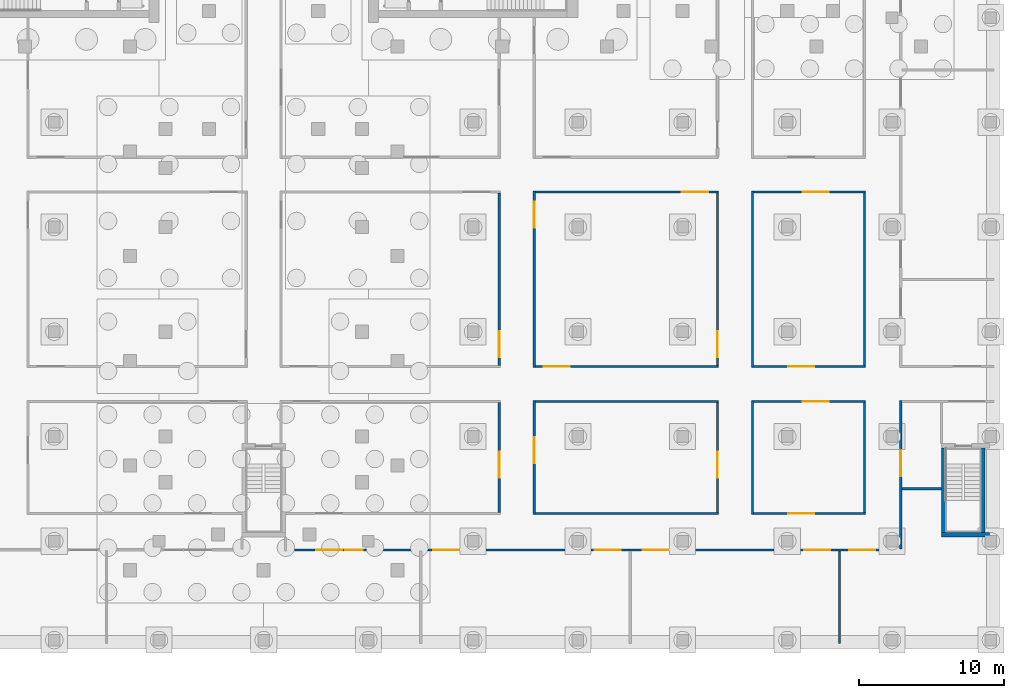
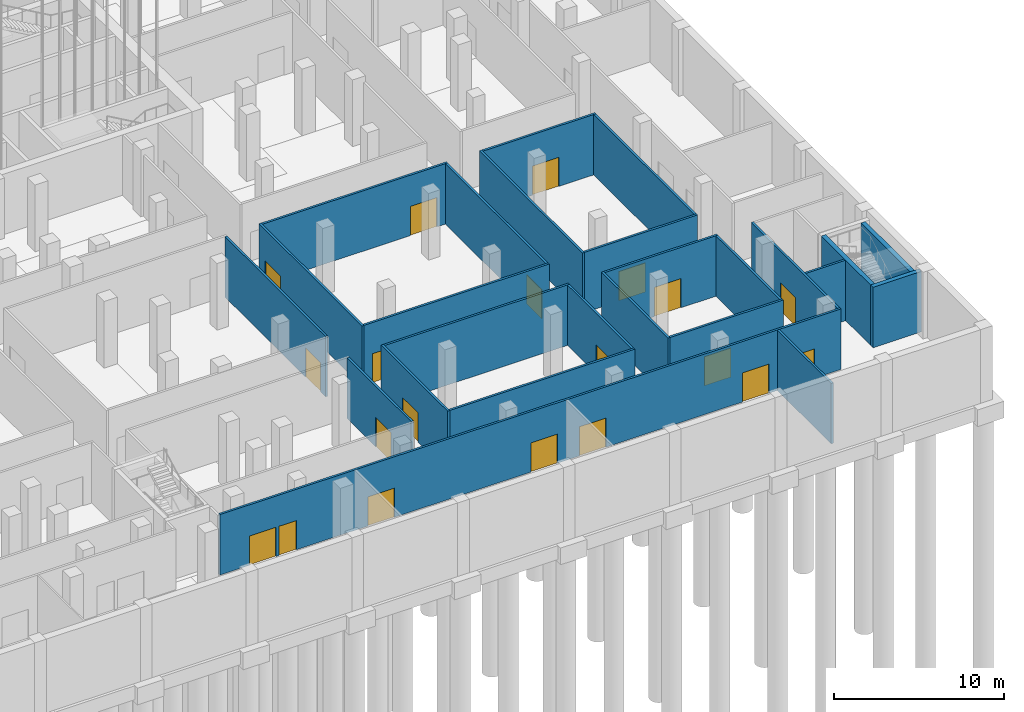
# One storey, part 12 of 54: 25 walls, 20 doors, 20 openings.
"""IFC4 building model written with IfcOpenShell, lengths in metres."""

from ifc_helpers import new_model, si_unit, direction, frame, frame_2d, origin, place, context, subcontext, project, spatial, rectangle, extrude, material, layer, layer_set, type_object, element, fill, save


model = new_model("IFC4")

# Units and contexts
model_context = context("Model", 3, precision=1e-05, world=origin(), true_north=direction((0.0, 1.0)))
body_context = subcontext(model_context, "Body", "Model", "MODEL_VIEW")
ifc_project = project(units=[si_unit("LENGTHUNIT", "METRE"), si_unit("AREAUNIT", "SQUARE_METRE"), si_unit("VOLUMEUNIT", "CUBIC_METRE"), si_unit("PLANEANGLEUNIT", "RADIAN"), si_unit("MASSUNIT", "GRAM", prefix="KILO")], contexts=[model_context])

# Site, building, storey
site_placement = place(None, origin())
site = spatial("IfcSite", under=ifc_project, at=site_placement, CompositionType="ELEMENT")
building_placement = place(site_placement, origin())
building = spatial("IfcBuilding", under=site, at=building_placement, Name="Fustian Cross Tower", CompositionType="ELEMENT")
storey_placement = place(building_placement, frame((0.0, 0.0, -4.800048828125)))
storey = spatial("IfcBuildingStorey", under=building, at=storey_placement, Name="B1", CompositionType="ELEMENT", Elevation=-4.800048828125)

# Wall, openings, doors
ifc_material_1 = material(Name="Plasterboard on steel stud", Category="steel")
ifc_layer_1 = layer(ifc_material_1, 0.14990234375)
ifc_layer_set_1 = layer_set([ifc_layer_1], Name="Plasterboard on steel stud")
wall_type_1 = type_object("IfcWallType", Name="COMPARTMENT WALL 150 EI 60", PredefinedType="PARTITIONING", material=ifc_layer_set_1)
wall_1_placement = place(storey_placement, frame((1.574951171875, -43.800048828125, 0.0), z_axis=(0.0, 0.0, 1.0), x_axis=(1.0, 0.0, 0.0)))
wall_1 = element("IfcWall", 1, at=wall_1_placement, inside=storey, type_object=wall_type_1, Name="Partition 117", PredefinedType="PARTITIONING", context=body_context, shape_type="SweptSolid", body=[
    extrude(rectangle(XDim=42.300048828125, YDim=0.14990234375, at=frame_2d((21.14990234375, 0.0))), origin(), (0.0, 0.0, 1.0), 4.35009765625),
])
opening_1_placement = place(wall_1_placement, frame((38.675048828125, 0.0, 0.0)))
opening_1 = element("IfcOpeningElement", 2, at=opening_1_placement, cuts=wall_1, Name="Opening D01029", PredefinedType="OPENING", context=body_context, shape_type="SweptSolid", body=[
    extrude(rectangle(XDim=1.800048828125, YDim=2.10009765625, at=frame_2d((0.89990234375, 1.050048828125))), frame((0.0, 0.0849609375, 0.0), z_axis=(0.0, -1.0, 0.0), x_axis=(1.0, 0.0, 0.0)), (0.0, 0.0, 1.0), 0.169921875),
])
opening_2_placement = place(wall_1_placement, frame((2.02490234375, 0.0, 0.0)))
opening_2 = element("IfcOpeningElement", 3, at=opening_2_placement, cuts=wall_1, Name="Opening D01036", PredefinedType="OPENING", context=body_context, shape_type="SweptSolid", body=[
    extrude(rectangle(XDim=1.800048828125, YDim=2.10009765625, at=frame_2d((0.89990234375, 1.050048828125))), frame((0.0, 0.0849609375, 0.0), z_axis=(0.0, -1.0, 0.0), x_axis=(1.0, 0.0, 0.0)), (0.0, 0.0, 1.0), 0.169921875),
])
opening_3_placement = place(wall_1_placement, frame((4.02490234375, 0.0, 0.0)))
opening_3 = element("IfcOpeningElement", 4, at=opening_3_placement, cuts=wall_1, Name="Opening D01037", PredefinedType="OPENING", context=body_context, shape_type="SweptSolid", body=[
    extrude(rectangle(XDim=1.199951171875, YDim=2.10009765625, at=frame_2d((0.60009765625, 1.050048828125))), frame((0.0, 0.0849609375, 0.0), z_axis=(0.0, -1.0, 0.0), x_axis=(1.0, 0.0, 0.0)), (0.0, 0.0, 1.0), 0.169921875),
])
opening_4_placement = place(wall_1_placement, frame((10.074951171875, 0.0, 0.0)))
opening_4 = element("IfcOpeningElement", 5, at=opening_4_placement, cuts=wall_1, Name="Opening D01038", PredefinedType="OPENING", context=body_context, shape_type="SweptSolid", body=[
    extrude(rectangle(XDim=1.800048828125, YDim=2.10009765625, at=frame_2d((0.89990234375, 1.050048828125))), frame((0.0, 0.0849609375, 0.0), z_axis=(0.0, -1.0, 0.0), x_axis=(1.0, 0.0, 0.0)), (0.0, 0.0, 1.0), 0.169921875),
])
opening_5_placement = place(wall_1_placement, frame((21.175048828125, 0.0, 0.0)))
opening_5 = element("IfcOpeningElement", 6, at=opening_5_placement, cuts=wall_1, Name="Opening D01039", PredefinedType="OPENING", context=body_context, shape_type="SweptSolid", body=[
    extrude(rectangle(XDim=1.800048828125, YDim=2.10009765625, at=frame_2d((0.89990234375, 1.050048828125))), frame((0.0, 0.0849609375, 0.0), z_axis=(0.0, -1.0, 0.0), x_axis=(1.0, 0.0, 0.0)), (0.0, 0.0, 1.0), 0.169921875),
])
opening_6_placement = place(wall_1_placement, frame((24.47509765625, 0.0, 0.0)))
opening_6 = element("IfcOpeningElement", 7, at=opening_6_placement, cuts=wall_1, Name="Opening D01040", PredefinedType="OPENING", context=body_context, shape_type="SweptSolid", body=[
    extrude(rectangle(XDim=1.800048828125, YDim=2.10009765625, at=frame_2d((0.89990234375, 1.050048828125))), frame((0.0, 0.0849609375, 0.0), z_axis=(0.0, -1.0, 0.0), x_axis=(1.0, 0.0, 0.0)), (0.0, 0.0, 1.0), 0.169921875),
])
opening_7_placement = place(wall_1_placement, frame((35.574951171875, 0.0, 0.0)))
opening_7 = element("IfcOpeningElement", 8, at=opening_7_placement, cuts=wall_1, Name="Opening D01041", PredefinedType="OPENING", context=body_context, shape_type="SweptSolid", body=[
    extrude(rectangle(XDim=1.800048828125, YDim=2.10009765625, at=frame_2d((0.89990234375, 1.050048828125))), frame((0.0, 0.0849609375, 0.0), z_axis=(0.0, -1.0, 0.0), x_axis=(1.0, 0.0, 0.0)), (0.0, 0.0, 1.0), 0.169921875),
])
ifc_material_2 = material(Name="Timber fire door set", Category="wood")
door_type_1 = type_object("IfcDoorType", Name="FIRE DOUBLE DOOR 1800 FD30S", OperationType="DOUBLE_DOOR_DOUBLE_SWING", PredefinedType="DOOR", material=ifc_material_2)
door_1_placement = place(opening_1_placement, origin())
door_1 = element("IfcDoor", 9, at=door_1_placement, inside=storey, type_object=door_type_1, Name="Door D01029", OperationType="DOUBLE_DOOR_DOUBLE_SWING", OverallHeight=2.10009765625, OverallWidth=1.800048828125, PredefinedType="DOOR", context=body_context, shape_type="SweptSolid", body=[
    extrude(rectangle(XDim=1.800048828125, YDim=2.10009765625, at=frame_2d((0.89990234375, 1.050048828125))), frame((0.0, 0.02490234375, 0.0), z_axis=(0.0, -1.0, 0.0), x_axis=(1.0, 0.0, 0.0)), (0.0, 0.0, 1.0), 0.050048828125),
])
fill(opening_1, door_1)
door_2_placement = place(opening_2_placement, origin())
door_2 = element("IfcDoor", 10, at=door_2_placement, inside=storey, type_object=door_type_1, Name="Door D01036", OperationType="DOUBLE_DOOR_DOUBLE_SWING", OverallHeight=2.10009765625, OverallWidth=1.800048828125, PredefinedType="DOOR", context=body_context, shape_type="SweptSolid", body=[
    extrude(rectangle(XDim=1.800048828125, YDim=2.10009765625, at=frame_2d((0.89990234375, 1.050048828125))), frame((0.0, 0.02490234375, 0.0), z_axis=(0.0, -1.0, 0.0), x_axis=(1.0, 0.0, 0.0)), (0.0, 0.0, 1.0), 0.050048828125),
])
fill(opening_2, door_2)
door_3_placement = place(opening_4_placement, origin())
door_3 = element("IfcDoor", 11, at=door_3_placement, inside=storey, type_object=door_type_1, Name="Door D01038", OperationType="DOUBLE_DOOR_DOUBLE_SWING", OverallHeight=2.10009765625, OverallWidth=1.800048828125, PredefinedType="DOOR", context=body_context, shape_type="SweptSolid", body=[
    extrude(rectangle(XDim=1.800048828125, YDim=2.10009765625, at=frame_2d((0.89990234375, 1.050048828125))), frame((0.0, 0.02490234375, 0.0), z_axis=(0.0, -1.0, 0.0), x_axis=(1.0, 0.0, 0.0)), (0.0, 0.0, 1.0), 0.050048828125),
])
fill(opening_4, door_3)
door_4_placement = place(opening_5_placement, origin())
door_4 = element("IfcDoor", 12, at=door_4_placement, inside=storey, type_object=door_type_1, Name="Door D01039", OperationType="DOUBLE_DOOR_DOUBLE_SWING", OverallHeight=2.10009765625, OverallWidth=1.800048828125, PredefinedType="DOOR", context=body_context, shape_type="SweptSolid", body=[
    extrude(rectangle(XDim=1.800048828125, YDim=2.10009765625, at=frame_2d((0.89990234375, 1.050048828125))), frame((0.0, 0.02490234375, 0.0), z_axis=(0.0, -1.0, 0.0), x_axis=(1.0, 0.0, 0.0)), (0.0, 0.0, 1.0), 0.050048828125),
])
fill(opening_5, door_4)
door_5_placement = place(opening_6_placement, origin())
door_5 = element("IfcDoor", 13, at=door_5_placement, inside=storey, type_object=door_type_1, Name="Door D01040", OperationType="DOUBLE_DOOR_DOUBLE_SWING", OverallHeight=2.10009765625, OverallWidth=1.800048828125, PredefinedType="DOOR", context=body_context, shape_type="SweptSolid", body=[
    extrude(rectangle(XDim=1.800048828125, YDim=2.10009765625, at=frame_2d((0.89990234375, 1.050048828125))), frame((0.0, 0.02490234375, 0.0), z_axis=(0.0, -1.0, 0.0), x_axis=(1.0, 0.0, 0.0)), (0.0, 0.0, 1.0), 0.050048828125),
])
fill(opening_6, door_5)
door_6_placement = place(opening_7_placement, origin())
door_6 = element("IfcDoor", 14, at=door_6_placement, inside=storey, type_object=door_type_1, Name="Door D01041", OperationType="DOUBLE_DOOR_DOUBLE_SWING", OverallHeight=2.10009765625, OverallWidth=1.800048828125, PredefinedType="DOOR", context=body_context, shape_type="SweptSolid", body=[
    extrude(rectangle(XDim=1.800048828125, YDim=2.10009765625, at=frame_2d((0.89990234375, 1.050048828125))), frame((0.0, 0.02490234375, 0.0), z_axis=(0.0, -1.0, 0.0), x_axis=(1.0, 0.0, 0.0)), (0.0, 0.0, 1.0), 0.050048828125),
])
fill(opening_7, door_6)
ifc_material_3 = material(Name="Timber fire door set", Category="wood")
door_type_2 = type_object("IfcDoorType", Name="FIRE SWING DOOR 1200 FD30S", OperationType="SINGLE_SWING_LEFT", PredefinedType="DOOR", material=ifc_material_3)
door_7_placement = place(opening_3_placement, frame((1.199951171875, 0.0, 0.0), z_axis=(0.0, 0.0, 1.0), x_axis=(-1.0, 0.0, 0.0)))
door_7 = element("IfcDoor", 15, at=door_7_placement, inside=storey, type_object=door_type_2, Name="Door D01037", OperationType="SINGLE_SWING_LEFT", OverallHeight=2.10009765625, OverallWidth=1.199951171875, PredefinedType="DOOR", context=body_context, shape_type="SweptSolid", body=[
    extrude(rectangle(XDim=1.199951171875, YDim=2.10009765625, at=frame_2d((0.60009765625, 1.050048828125))), frame((0.0, 0.02490234375, 0.0), z_axis=(0.0, -1.0, 0.0), x_axis=(1.0, 0.0, 0.0)), (0.0, 0.0, 1.0), 0.050048828125),
])
fill(opening_3, door_7)

# Wall, opening, door
wall_2_placement = place(storey_placement, frame((16.199951171875, -41.22509765625, 0.0), z_axis=(0.0, 0.0, 1.0), x_axis=(0.0, 1.0, 0.0)))
wall_2 = element("IfcWall", 16, at=wall_2_placement, inside=storey, type_object=wall_type_1, Name="Partition 124", PredefinedType="PARTITIONING", context=body_context, shape_type="SweptSolid", body=[
    extrude(rectangle(XDim=7.550048828125, YDim=0.14990234375, at=frame_2d((3.77490234375, 0.0))), origin(), (0.0, 0.0, 1.0), 4.35009765625),
])
opening_8_placement = place(wall_2_placement, frame((2.375, 0.0, 0.0)))
opening_8 = element("IfcOpeningElement", 17, at=opening_8_placement, cuts=wall_2, Name="Opening D01022", PredefinedType="OPENING", context=body_context, shape_type="SweptSolid", body=[
    extrude(rectangle(XDim=1.800048828125, YDim=2.10009765625, at=frame_2d((0.89990234375, 1.050048828125))), frame((0.0, 0.0849609375, 0.0), z_axis=(0.0, -1.0, 0.0), x_axis=(1.0, 0.0, 0.0)), (0.0, 0.0, 1.0), 0.169921875),
])
door_8_placement = place(opening_8_placement, frame((1.800048828125, 0.0, 0.0), z_axis=(0.0, 0.0, 1.0), x_axis=(-1.0, 0.0, 0.0)))
door_8 = element("IfcDoor", 18, at=door_8_placement, inside=storey, type_object=door_type_1, Name="Door D01022", OperationType="DOUBLE_DOOR_DOUBLE_SWING", OverallHeight=2.10009765625, OverallWidth=1.800048828125, PredefinedType="DOOR", context=body_context, shape_type="SweptSolid", body=[
    extrude(rectangle(XDim=1.800048828125, YDim=2.10009765625, at=frame_2d((0.89990234375, 1.050048828125))), frame((0.0, 0.02490234375, 0.0), z_axis=(0.0, -1.0, 0.0), x_axis=(1.0, 0.0, 0.0)), (0.0, 0.0, 1.0), 0.050048828125),
])
fill(opening_8, door_8)

wall_3_placement = place(storey_placement, frame((16.199951171875, -31.125, 0.0), z_axis=(0.0, 0.0, 1.0), x_axis=(0.0, 1.0, 0.0)))
wall_3 = element("IfcWall", 19, at=wall_3_placement, inside=storey, type_object=wall_type_1, Name="Partition 125", PredefinedType="PARTITIONING", context=body_context, shape_type="SweptSolid", body=[
    extrude(rectangle(XDim=11.85009765625, YDim=0.14990234375, at=frame_2d((5.925048828125, 0.0))), origin(), (0.0, 0.0, 1.0), 4.35009765625),
])
opening_9_placement = place(wall_3_placement, frame((0.574951171875, 0.0, 0.0)))
opening_9 = element("IfcOpeningElement", 20, at=opening_9_placement, cuts=wall_3, Name="Opening D01107", PredefinedType="OPENING", context=body_context, shape_type="SweptSolid", body=[
    extrude(rectangle(XDim=1.800048828125, YDim=2.10009765625, at=frame_2d((0.89990234375, 1.050048828125))), frame((0.0, 0.0849609375, 0.0), z_axis=(0.0, -1.0, 0.0), x_axis=(1.0, 0.0, 0.0)), (0.0, 0.0, 1.0), 0.169921875),
])
door_9_placement = place(opening_9_placement, frame((1.800048828125, 0.0, 0.0), z_axis=(0.0, 0.0, 1.0), x_axis=(-1.0, 0.0, 0.0)))
door_9 = element("IfcDoor", 21, at=door_9_placement, inside=storey, type_object=door_type_1, Name="Door D01107", OperationType="DOUBLE_DOOR_DOUBLE_SWING", OverallHeight=2.10009765625, OverallWidth=1.800048828125, PredefinedType="DOOR", context=body_context, shape_type="SweptSolid", body=[
    extrude(rectangle(XDim=1.800048828125, YDim=2.10009765625, at=frame_2d((0.89990234375, 1.050048828125))), frame((0.0, 0.02490234375, 0.0), z_axis=(0.0, -1.0, 0.0), x_axis=(1.0, 0.0, 0.0)), (0.0, 0.0, 1.0), 0.050048828125),
])
fill(opening_9, door_9)

wall_4_placement = place(storey_placement, frame((18.60009765625, -41.375, 0.0), z_axis=(0.0, 0.0, 1.0), x_axis=(0.0, 1.0, 0.0)))
wall_4 = element("IfcWall", 22, at=wall_4_placement, inside=storey, type_object=wall_type_1, Name="Partition 130", PredefinedType="PARTITIONING", context=body_context, shape_type="SweptSolid", body=[
    extrude(rectangle(XDim=7.85009765625, YDim=0.14990234375, at=frame_2d((3.925048828125, 0.0))), origin(), (0.0, 0.0, 1.0), 4.35009765625),
])
opening_10_placement = place(wall_4_placement, frame((3.52490234375, 0.0, 0.0)))
opening_10 = element("IfcOpeningElement", 23, at=opening_10_placement, cuts=wall_4, Name="Opening D01023", PredefinedType="OPENING", context=body_context, shape_type="SweptSolid", body=[
    extrude(rectangle(XDim=1.800048828125, YDim=2.10009765625, at=frame_2d((0.89990234375, 1.050048828125))), frame((0.0, 0.0849609375, 0.0), z_axis=(0.0, -1.0, 0.0), x_axis=(1.0, 0.0, 0.0)), (0.0, 0.0, 1.0), 0.169921875),
])
door_10_placement = place(opening_10_placement, origin())
door_10 = element("IfcDoor", 24, at=door_10_placement, inside=storey, type_object=door_type_1, Name="Door D01023", OperationType="DOUBLE_DOOR_DOUBLE_SWING", OverallHeight=2.10009765625, OverallWidth=1.800048828125, PredefinedType="DOOR", context=body_context, shape_type="SweptSolid", body=[
    extrude(rectangle(XDim=1.800048828125, YDim=2.10009765625, at=frame_2d((0.89990234375, 1.050048828125))), frame((0.0, 0.02490234375, 0.0), z_axis=(0.0, -1.0, 0.0), x_axis=(1.0, 0.0, 0.0)), (0.0, 0.0, 1.0), 0.050048828125),
])
fill(opening_10, door_10)

# Walls
for number, where, z_axis, x_axis, name in (
    (25, (18.675048828125, -41.300048828125, 0.0), (0.0, 0.0, 1.0), (1.0, 0.0, 0.0), "Partition 131"),
    (26, (18.675048828125, -33.60009765625, 0.0), (0.0, 0.0, 1.0), (1.0, 0.0, 0.0), "Partition 132"),
):
    element("IfcWall", number, at=place(storey_placement, frame(where, z_axis=z_axis, x_axis=x_axis)), inside=storey, type_object=wall_type_1, Name=name, PredefinedType="PARTITIONING", context=body_context, shape_type="SweptSolid", body=[
        extrude(rectangle(XDim=12.599853515625, YDim=0.14990234375, at=frame_2d((6.2998046875, 0.0))), origin(), (0.0, 0.0, 1.0), 4.35009765625),
    ])

# Wall, opening, door
wall_5_placement = place(storey_placement, frame((18.60009765625, -31.27490234375, 0.0), z_axis=(0.0, 0.0, 1.0), x_axis=(0.0, 1.0, 0.0)))
wall_5 = element("IfcWall", 27, at=wall_5_placement, inside=storey, type_object=wall_type_1, Name="Partition 133", PredefinedType="PARTITIONING", context=body_context, shape_type="SweptSolid", body=[
    extrude(rectangle(XDim=12.14990234375, YDim=0.14990234375, at=frame_2d((6.074951171875, 0.0))), origin(), (0.0, 0.0, 1.0), 4.35009765625),
])
opening_11_placement = place(wall_5_placement, frame((9.625, 0.0, 0.0)))
opening_11 = element("IfcOpeningElement", 28, at=opening_11_placement, cuts=wall_5, Name="Opening D01108", PredefinedType="OPENING", context=body_context, shape_type="SweptSolid", body=[
    extrude(rectangle(XDim=1.800048828125, YDim=2.10009765625, at=frame_2d((0.89990234375, 1.050048828125))), frame((0.0, 0.0849609375, 0.0), z_axis=(0.0, -1.0, 0.0), x_axis=(1.0, 0.0, 0.0)), (0.0, 0.0, 1.0), 0.169921875),
])
door_11_placement = place(opening_11_placement, origin())
door_11 = element("IfcDoor", 29, at=door_11_placement, inside=storey, type_object=door_type_1, Name="Door D01108", OperationType="DOUBLE_DOOR_DOUBLE_SWING", OverallHeight=2.10009765625, OverallWidth=1.800048828125, PredefinedType="DOOR", context=body_context, shape_type="SweptSolid", body=[
    extrude(rectangle(XDim=1.800048828125, YDim=2.10009765625, at=frame_2d((0.89990234375, 1.050048828125))), frame((0.0, 0.02490234375, 0.0), z_axis=(0.0, -1.0, 0.0), x_axis=(1.0, 0.0, 0.0)), (0.0, 0.0, 1.0), 0.050048828125),
])
fill(opening_11, door_11)

wall_6_placement = place(storey_placement, frame((18.675048828125, -31.199951171875, 0.0), z_axis=(0.0, 0.0, 1.0), x_axis=(1.0, 0.0, 0.0)))
wall_6 = element("IfcWall", 30, at=wall_6_placement, inside=storey, type_object=wall_type_1, Name="Partition 134", PredefinedType="PARTITIONING", context=body_context, shape_type="SweptSolid", body=[
    extrude(rectangle(XDim=12.599853515625, YDim=0.14990234375, at=frame_2d((6.2998046875, 0.0))), origin(), (0.0, 0.0, 1.0), 4.35009765625),
])
opening_12_placement = place(wall_6_placement, frame((0.574951171875, 0.0, 0.0)))
opening_12 = element("IfcOpeningElement", 31, at=opening_12_placement, cuts=wall_6, Name="Opening D01109", PredefinedType="OPENING", context=body_context, shape_type="SweptSolid", body=[
    extrude(rectangle(XDim=1.800048828125, YDim=2.10009765625, at=frame_2d((0.89990234375, 1.050048828125))), frame((0.0, 0.0849609375, 0.0), z_axis=(0.0, -1.0, 0.0), x_axis=(1.0, 0.0, 0.0)), (0.0, 0.0, 1.0), 0.169921875),
])
door_12_placement = place(opening_12_placement, frame((1.800048828125, 0.0, 0.0), z_axis=(0.0, 0.0, 1.0), x_axis=(-1.0, 0.0, 0.0)))
door_12 = element("IfcDoor", 32, at=door_12_placement, inside=storey, type_object=door_type_1, Name="Door D01109", OperationType="DOUBLE_DOOR_DOUBLE_SWING", OverallHeight=2.10009765625, OverallWidth=1.800048828125, PredefinedType="DOOR", context=body_context, shape_type="SweptSolid", body=[
    extrude(rectangle(XDim=1.800048828125, YDim=2.10009765625, at=frame_2d((0.89990234375, 1.050048828125))), frame((0.0, 0.02490234375, 0.0), z_axis=(0.0, -1.0, 0.0), x_axis=(1.0, 0.0, 0.0)), (0.0, 0.0, 1.0), 0.050048828125),
])
fill(opening_12, door_12)

wall_7_placement = place(storey_placement, frame((18.675048828125, -19.199951171875, 0.0), z_axis=(0.0, 0.0, 1.0), x_axis=(1.0, 0.0, 0.0)))
wall_7 = element("IfcWall", 33, at=wall_7_placement, inside=storey, type_object=wall_type_1, Name="Partition 135", PredefinedType="PARTITIONING", context=body_context, shape_type="SweptSolid", body=[
    extrude(rectangle(XDim=12.599853515625, YDim=0.14990234375, at=frame_2d((6.2998046875, 0.0))), origin(), (0.0, 0.0, 1.0), 4.35009765625),
])
opening_13_placement = place(wall_7_placement, frame((10.074951171875, 0.0, 0.0)))
opening_13 = element("IfcOpeningElement", 34, at=opening_13_placement, cuts=wall_7, Name="Opening D01110", PredefinedType="OPENING", context=body_context, shape_type="SweptSolid", body=[
    extrude(rectangle(XDim=1.800048828125, YDim=2.10009765625, at=frame_2d((0.89990234375, 1.050048828125))), frame((0.0, 0.0849609375, 0.0), z_axis=(0.0, -1.0, 0.0), x_axis=(1.0, 0.0, 0.0)), (0.0, 0.0, 1.0), 0.169921875),
])
door_13_placement = place(opening_13_placement, origin())
door_13 = element("IfcDoor", 35, at=door_13_placement, inside=storey, type_object=door_type_1, Name="Door D01110", OperationType="DOUBLE_DOOR_DOUBLE_SWING", OverallHeight=2.10009765625, OverallWidth=1.800048828125, PredefinedType="DOOR", context=body_context, shape_type="SweptSolid", body=[
    extrude(rectangle(XDim=1.800048828125, YDim=2.10009765625, at=frame_2d((0.89990234375, 1.050048828125))), frame((0.0, 0.02490234375, 0.0), z_axis=(0.0, -1.0, 0.0), x_axis=(1.0, 0.0, 0.0)), (0.0, 0.0, 1.0), 0.050048828125),
])
fill(opening_13, door_13)

wall_8_placement = place(storey_placement, frame((31.199951171875, -41.22509765625, 0.0), z_axis=(0.0, 0.0, 1.0), x_axis=(0.0, 1.0, 0.0)))
wall_8 = element("IfcWall", 36, at=wall_8_placement, inside=storey, type_object=wall_type_1, Name="Partition 150", PredefinedType="PARTITIONING", context=body_context, shape_type="SweptSolid", body=[
    extrude(rectangle(XDim=7.550048828125, YDim=0.14990234375, at=frame_2d((3.77490234375, 0.0))), origin(), (0.0, 0.0, 1.0), 4.35009765625),
])
opening_14_placement = place(wall_8_placement, frame((2.375, 0.0, 0.0)))
opening_14 = element("IfcOpeningElement", 37, at=opening_14_placement, cuts=wall_8, Name="Opening D01024", PredefinedType="OPENING", context=body_context, shape_type="SweptSolid", body=[
    extrude(rectangle(XDim=1.800048828125, YDim=2.10009765625, at=frame_2d((0.89990234375, 1.050048828125))), frame((0.0, 0.0849609375, 0.0), z_axis=(0.0, -1.0, 0.0), x_axis=(1.0, 0.0, 0.0)), (0.0, 0.0, 1.0), 0.169921875),
])
door_14_placement = place(opening_14_placement, frame((1.800048828125, 0.0, 0.0), z_axis=(0.0, 0.0, 1.0), x_axis=(-1.0, 0.0, 0.0)))
door_14 = element("IfcDoor", 38, at=door_14_placement, inside=storey, type_object=door_type_1, Name="Door D01024", OperationType="DOUBLE_DOOR_DOUBLE_SWING", OverallHeight=2.10009765625, OverallWidth=1.800048828125, PredefinedType="DOOR", context=body_context, shape_type="SweptSolid", body=[
    extrude(rectangle(XDim=1.800048828125, YDim=2.10009765625, at=frame_2d((0.89990234375, 1.050048828125))), frame((0.0, 0.02490234375, 0.0), z_axis=(0.0, -1.0, 0.0), x_axis=(1.0, 0.0, 0.0)), (0.0, 0.0, 1.0), 0.050048828125),
])
fill(opening_14, door_14)

wall_9_placement = place(storey_placement, frame((31.199951171875, -31.125, 0.0), z_axis=(0.0, 0.0, 1.0), x_axis=(0.0, 1.0, 0.0)))
wall_9 = element("IfcWall", 39, at=wall_9_placement, inside=storey, type_object=wall_type_1, Name="Partition 151", PredefinedType="PARTITIONING", context=body_context, shape_type="SweptSolid", body=[
    extrude(rectangle(XDim=11.85009765625, YDim=0.14990234375, at=frame_2d((5.925048828125, 0.0))), origin(), (0.0, 0.0, 1.0), 4.35009765625),
])
opening_15_placement = place(wall_9_placement, frame((0.574951171875, 0.0, 0.0)))
opening_15 = element("IfcOpeningElement", 40, at=opening_15_placement, cuts=wall_9, Name="Opening D01111", PredefinedType="OPENING", context=body_context, shape_type="SweptSolid", body=[
    extrude(rectangle(XDim=1.800048828125, YDim=2.10009765625, at=frame_2d((0.89990234375, 1.050048828125))), frame((0.0, 0.0849609375, 0.0), z_axis=(0.0, -1.0, 0.0), x_axis=(1.0, 0.0, 0.0)), (0.0, 0.0, 1.0), 0.169921875),
])
door_15_placement = place(opening_15_placement, frame((1.800048828125, 0.0, 0.0), z_axis=(0.0, 0.0, 1.0), x_axis=(-1.0, 0.0, 0.0)))
door_15 = element("IfcDoor", 41, at=door_15_placement, inside=storey, type_object=door_type_1, Name="Door D01111", OperationType="DOUBLE_DOOR_DOUBLE_SWING", OverallHeight=2.10009765625, OverallWidth=1.800048828125, PredefinedType="DOOR", context=body_context, shape_type="SweptSolid", body=[
    extrude(rectangle(XDim=1.800048828125, YDim=2.10009765625, at=frame_2d((0.89990234375, 1.050048828125))), frame((0.0, 0.02490234375, 0.0), z_axis=(0.0, -1.0, 0.0), x_axis=(1.0, 0.0, 0.0)), (0.0, 0.0, 1.0), 0.050048828125),
])
fill(opening_15, door_15)

# Wall
wall_10_placement = place(storey_placement, frame((33.60009765625, -41.375, 0.0), z_axis=(0.0, 0.0, 1.0), x_axis=(0.0, 1.0, 0.0)))
element("IfcWall", 42, at=wall_10_placement, inside=storey, type_object=wall_type_1, Name="Partition 155", PredefinedType="PARTITIONING", context=body_context, shape_type="SweptSolid", body=[
    extrude(rectangle(XDim=7.85009765625, YDim=0.14990234375, at=frame_2d((3.925048828125, 0.0))), origin(), (0.0, 0.0, 1.0), 4.35009765625),
])

# Wall, opening, door
wall_11_placement = place(storey_placement, frame((33.675048828125, -41.300048828125, 0.0), z_axis=(0.0, 0.0, 1.0), x_axis=(1.0, 0.0, 0.0)))
wall_11 = element("IfcWall", 43, at=wall_11_placement, inside=storey, type_object=wall_type_1, Name="Partition 156", PredefinedType="PARTITIONING", context=body_context, shape_type="SweptSolid", body=[
    extrude(rectangle(XDim=7.699951171875, YDim=0.14990234375, at=frame_2d((3.85009765625, 0.0))), origin(), (0.0, 0.0, 1.0), 4.35009765625),
])
opening_16_placement = place(wall_11_placement, frame((2.375, 0.0, 0.0)))
opening_16 = element("IfcOpeningElement", 44, at=opening_16_placement, cuts=wall_11, Name="Opening D01025", PredefinedType="OPENING", context=body_context, shape_type="SweptSolid", body=[
    extrude(rectangle(XDim=1.800048828125, YDim=2.10009765625, at=frame_2d((0.89990234375, 1.050048828125))), frame((0.0, 0.0849609375, 0.0), z_axis=(0.0, -1.0, 0.0), x_axis=(1.0, 0.0, 0.0)), (0.0, 0.0, 1.0), 0.169921875),
])
door_16_placement = place(opening_16_placement, frame((1.800048828125, 0.0, 0.0), z_axis=(0.0, 0.0, 1.0), x_axis=(-1.0, 0.0, 0.0)))
door_16 = element("IfcDoor", 45, at=door_16_placement, inside=storey, type_object=door_type_1, Name="Door D01025", OperationType="DOUBLE_DOOR_DOUBLE_SWING", OverallHeight=2.10009765625, OverallWidth=1.800048828125, PredefinedType="DOOR", context=body_context, shape_type="SweptSolid", body=[
    extrude(rectangle(XDim=1.800048828125, YDim=2.10009765625, at=frame_2d((0.89990234375, 1.050048828125))), frame((0.0, 0.02490234375, 0.0), z_axis=(0.0, -1.0, 0.0), x_axis=(1.0, 0.0, 0.0)), (0.0, 0.0, 1.0), 0.050048828125),
])
fill(opening_16, door_16)

wall_12_placement = place(storey_placement, frame((33.675048828125, -33.60009765625, 0.0), z_axis=(0.0, 0.0, 1.0), x_axis=(1.0, 0.0, 0.0)))
wall_12 = element("IfcWall", 46, at=wall_12_placement, inside=storey, type_object=wall_type_1, Name="Partition 157", PredefinedType="PARTITIONING", context=body_context, shape_type="SweptSolid", body=[
    extrude(rectangle(XDim=7.699951171875, YDim=0.14990234375, at=frame_2d((3.85009765625, 0.0))), origin(), (0.0, 0.0, 1.0), 4.35009765625),
])
opening_17_placement = place(wall_12_placement, frame((3.375, 0.0, 0.0)))
opening_17 = element("IfcOpeningElement", 47, at=opening_17_placement, cuts=wall_12, Name="Opening D01026", PredefinedType="OPENING", context=body_context, shape_type="SweptSolid", body=[
    extrude(rectangle(XDim=1.800048828125, YDim=2.10009765625, at=frame_2d((0.89990234375, 1.050048828125))), frame((0.0, 0.0849609375, 0.0), z_axis=(0.0, -1.0, 0.0), x_axis=(1.0, 0.0, 0.0)), (0.0, 0.0, 1.0), 0.169921875),
])
door_17_placement = place(opening_17_placement, origin())
door_17 = element("IfcDoor", 48, at=door_17_placement, inside=storey, type_object=door_type_1, Name="Door D01026", OperationType="DOUBLE_DOOR_DOUBLE_SWING", OverallHeight=2.10009765625, OverallWidth=1.800048828125, PredefinedType="DOOR", context=body_context, shape_type="SweptSolid", body=[
    extrude(rectangle(XDim=1.800048828125, YDim=2.10009765625, at=frame_2d((0.89990234375, 1.050048828125))), frame((0.0, 0.02490234375, 0.0), z_axis=(0.0, -1.0, 0.0), x_axis=(1.0, 0.0, 0.0)), (0.0, 0.0, 1.0), 0.050048828125),
])
fill(opening_17, door_17)

# Wall
wall_13_placement = place(storey_placement, frame((33.60009765625, -31.27490234375, 0.0), z_axis=(0.0, 0.0, 1.0), x_axis=(0.0, 1.0, 0.0)))
element("IfcWall", 49, at=wall_13_placement, inside=storey, type_object=wall_type_1, Name="Partition 158", PredefinedType="PARTITIONING", context=body_context, shape_type="SweptSolid", body=[
    extrude(rectangle(XDim=12.14990234375, YDim=0.14990234375, at=frame_2d((6.074951171875, 0.0))), origin(), (0.0, 0.0, 1.0), 4.35009765625),
])

# Wall, opening, door
wall_14_placement = place(storey_placement, frame((33.675048828125, -31.199951171875, 0.0), z_axis=(0.0, 0.0, 1.0), x_axis=(1.0, 0.0, 0.0)))
wall_14 = element("IfcWall", 50, at=wall_14_placement, inside=storey, type_object=wall_type_1, Name="Partition 159", PredefinedType="PARTITIONING", context=body_context, shape_type="SweptSolid", body=[
    extrude(rectangle(XDim=7.699951171875, YDim=0.14990234375, at=frame_2d((3.85009765625, 0.0))), origin(), (0.0, 0.0, 1.0), 4.35009765625),
])
opening_18_placement = place(wall_14_placement, frame((2.375, 0.0, 0.0)))
opening_18 = element("IfcOpeningElement", 51, at=opening_18_placement, cuts=wall_14, Name="Opening D01005", PredefinedType="OPENING", context=body_context, shape_type="SweptSolid", body=[
    extrude(rectangle(XDim=1.800048828125, YDim=2.10009765625, at=frame_2d((0.89990234375, 1.050048828125))), frame((0.0, 0.0849609375, 0.0), z_axis=(0.0, -1.0, 0.0), x_axis=(1.0, 0.0, 0.0)), (0.0, 0.0, 1.0), 0.169921875),
])
door_18_placement = place(opening_18_placement, frame((1.800048828125, 0.0, 0.0), z_axis=(0.0, 0.0, 1.0), x_axis=(-1.0, 0.0, 0.0)))
door_18 = element("IfcDoor", 52, at=door_18_placement, inside=storey, type_object=door_type_1, Name="Door D01005", OperationType="DOUBLE_DOOR_DOUBLE_SWING", OverallHeight=2.10009765625, OverallWidth=1.800048828125, PredefinedType="DOOR", context=body_context, shape_type="SweptSolid", body=[
    extrude(rectangle(XDim=1.800048828125, YDim=2.10009765625, at=frame_2d((0.89990234375, 1.050048828125))), frame((0.0, 0.02490234375, 0.0), z_axis=(0.0, -1.0, 0.0), x_axis=(1.0, 0.0, 0.0)), (0.0, 0.0, 1.0), 0.050048828125),
])
fill(opening_18, door_18)

wall_15_placement = place(storey_placement, frame((33.675048828125, -19.199951171875, 0.0), z_axis=(0.0, 0.0, 1.0), x_axis=(1.0, 0.0, 0.0)))
wall_15 = element("IfcWall", 53, at=wall_15_placement, inside=storey, type_object=wall_type_1, Name="Partition 160", PredefinedType="PARTITIONING", context=body_context, shape_type="SweptSolid", body=[
    extrude(rectangle(XDim=7.699951171875, YDim=0.14990234375, at=frame_2d((3.85009765625, 0.0))), origin(), (0.0, 0.0, 1.0), 4.35009765625),
])
opening_19_placement = place(wall_15_placement, frame((3.375, 0.0, 0.0)))
opening_19 = element("IfcOpeningElement", 54, at=opening_19_placement, cuts=wall_15, Name="Opening D01006", PredefinedType="OPENING", context=body_context, shape_type="SweptSolid", body=[
    extrude(rectangle(XDim=1.800048828125, YDim=2.10009765625, at=frame_2d((0.89990234375, 1.050048828125))), frame((0.0, 0.0849609375, 0.0), z_axis=(0.0, -1.0, 0.0), x_axis=(1.0, 0.0, 0.0)), (0.0, 0.0, 1.0), 0.169921875),
])
door_19_placement = place(opening_19_placement, origin())
door_19 = element("IfcDoor", 55, at=door_19_placement, inside=storey, type_object=door_type_1, Name="Door D01006", OperationType="DOUBLE_DOOR_DOUBLE_SWING", OverallHeight=2.10009765625, OverallWidth=1.800048828125, PredefinedType="DOOR", context=body_context, shape_type="SweptSolid", body=[
    extrude(rectangle(XDim=1.800048828125, YDim=2.10009765625, at=frame_2d((0.89990234375, 1.050048828125))), frame((0.0, 0.02490234375, 0.0), z_axis=(0.0, -1.0, 0.0), x_axis=(1.0, 0.0, 0.0)), (0.0, 0.0, 1.0), 0.050048828125),
])
fill(opening_19, door_19)

# Walls
wall_16_placement = place(storey_placement, frame((39.60009765625, -50.219970703125, 0.0), z_axis=(0.0, 0.0, 1.0), x_axis=(0.0, 1.0, 0.0)))
element("IfcWall", 56, at=wall_16_placement, inside=storey, type_object=wall_type_1, Name="Partition 173", PredefinedType="PARTITIONING", context=body_context, shape_type="SweptSolid", body=[
    extrude(rectangle(XDim=6.344970703125, YDim=0.14990234375, at=frame_2d((3.17236328125, 0.0))), origin(), (0.0, 0.0, 1.0), 4.35009765625),
])
wall_17_placement = place(storey_placement, frame((41.300048828125, -41.22509765625, 0.0), z_axis=(0.0, 0.0, 1.0), x_axis=(0.0, 1.0, 0.0)))
element("IfcWall", 57, at=wall_17_placement, inside=storey, type_object=wall_type_1, Name="Partition 175", PredefinedType="PARTITIONING", context=body_context, shape_type="SweptSolid", body=[
    extrude(rectangle(XDim=7.550048828125, YDim=0.14990234375, at=frame_2d((3.77490234375, 0.0))), origin(), (0.0, 0.0, 1.0), 4.35009765625),
])
wall_18_placement = place(storey_placement, frame((41.300048828125, -31.125, 0.0), z_axis=(0.0, 0.0, 1.0), x_axis=(0.0, 1.0, 0.0)))
element("IfcWall", 58, at=wall_18_placement, inside=storey, type_object=wall_type_1, Name="Partition 176", PredefinedType="PARTITIONING", context=body_context, shape_type="SweptSolid", body=[
    extrude(rectangle(XDim=11.85009765625, YDim=0.14990234375, at=frame_2d((5.925048828125, 0.0))), origin(), (0.0, 0.0, 1.0), 4.35009765625),
])

# Wall, opening, door
wall_19_placement = place(storey_placement, frame((43.800048828125, -43.72509765625, 0.0), z_axis=(0.0, 0.0, 1.0), x_axis=(0.0, 1.0, 0.0)))
wall_19 = element("IfcWall", 59, at=wall_19_placement, inside=storey, type_object=wall_type_1, Name="Partition 183", PredefinedType="PARTITIONING", context=body_context, shape_type="SweptSolid", body=[
    extrude(rectangle(XDim=10.2001953125, YDim=0.14990234375, at=frame_2d((5.10009765625, 0.0))), origin(), (0.0, 0.0, 1.0), 4.35009765625),
])
opening_20_placement = place(wall_19_placement, frame((4.97509765625, 0.0, 0.0)))
opening_20 = element("IfcOpeningElement", 60, at=opening_20_placement, cuts=wall_19, Name="Opening D01027", PredefinedType="OPENING", context=body_context, shape_type="SweptSolid", body=[
    extrude(rectangle(XDim=1.800048828125, YDim=2.10009765625, at=frame_2d((0.89990234375, 1.050048828125))), frame((0.0, 0.0849609375, 0.0), z_axis=(0.0, -1.0, 0.0), x_axis=(1.0, 0.0, 0.0)), (0.0, 0.0, 1.0), 0.169921875),
])
door_20_placement = place(opening_20_placement, origin())
door_20 = element("IfcDoor", 61, at=door_20_placement, inside=storey, type_object=door_type_1, Name="Door D01027", OperationType="DOUBLE_DOOR_DOUBLE_SWING", OverallHeight=2.10009765625, OverallWidth=1.800048828125, PredefinedType="DOOR", context=body_context, shape_type="SweptSolid", body=[
    extrude(rectangle(XDim=1.800048828125, YDim=2.10009765625, at=frame_2d((0.89990234375, 1.050048828125))), frame((0.0, 0.02490234375, 0.0), z_axis=(0.0, -1.0, 0.0), x_axis=(1.0, 0.0, 0.0)), (0.0, 0.0, 1.0), 0.050048828125),
])
fill(opening_20, door_20)

# Walls
wall_20_placement = place(storey_placement, frame((43.875, -39.60009765625, 0.0), z_axis=(0.0, 0.0, 1.0), x_axis=(1.0, 0.0, 0.0)))
element("IfcWall", 62, at=wall_20_placement, inside=storey, type_object=wall_type_1, Name="Partition 184", PredefinedType="PARTITIONING", context=body_context, shape_type="SweptSolid", body=[
    extrude(rectangle(XDim=2.72509765625, YDim=0.14990234375, at=frame_2d((1.362548828125, 0.0))), origin(), (0.0, 0.0, 1.0), 4.35009765625),
])
ifc_material_4 = material(Name="Concrete C50/60", Category="concrete")
ifc_layer_2 = layer(ifc_material_4, 0.300048828125)
ifc_layer_set_2 = layer_set([ifc_layer_2], Name="Concrete C50/60")
wall_type_2 = type_object("IfcWallType", Name="STAIR ENCLOSURE WALL 300 C50/60", PredefinedType="SHEAR", material=ifc_layer_set_2)
wall_21_placement = place(storey_placement, frame((46.60009765625, -42.75, 0.0), z_axis=(0.0, 0.0, 1.0), x_axis=(1.0, 0.0, 0.0)))
element("IfcWall", 63, at=wall_21_placement, inside=storey, type_object=wall_type_2, Name="Stair enclosure wall", PredefinedType="SHEAR", context=body_context, shape_type="SweptSolid", body=[
    extrude(rectangle(XDim=3.2998046875, YDim=0.300048828125, at=frame_2d((1.64990234375, 0.0))), origin(), (0.0, 0.0, 1.0), 4.35009765625),
])
for number, where, z_axis, x_axis, name in (
    (64, (46.75, -36.800048828125, 0.0), (0.0, 0.0, 1.0), (0.0, -1.0, 0.0), "Stair enclosure wall"),
    (65, (49.449951171875, -36.800048828125, 0.0), (0.0, 0.0, 1.0), (0.0, -1.0, 0.0), "Stair enclosure wall"),
):
    element("IfcWall", number, at=place(storey_placement, frame(where, z_axis=z_axis, x_axis=x_axis)), inside=storey, type_object=wall_type_2, Name=name, PredefinedType="SHEAR", context=body_context, shape_type="SweptSolid", body=[
        extrude(rectangle(XDim=5.800048828125, YDim=0.300048828125, at=frame_2d((2.89990234375, 0.0))), origin(), (0.0, 0.0, 1.0), 4.35009765625),
    ])

save(model, "model.ifc")
